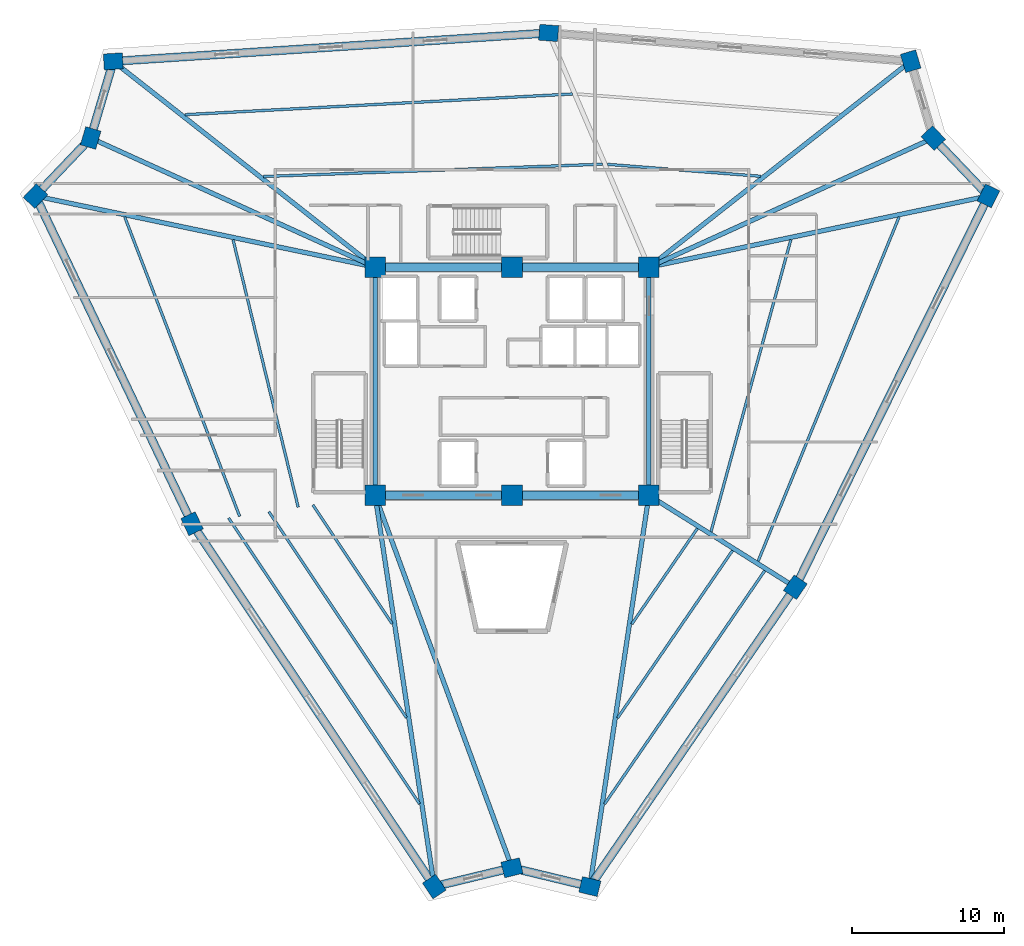
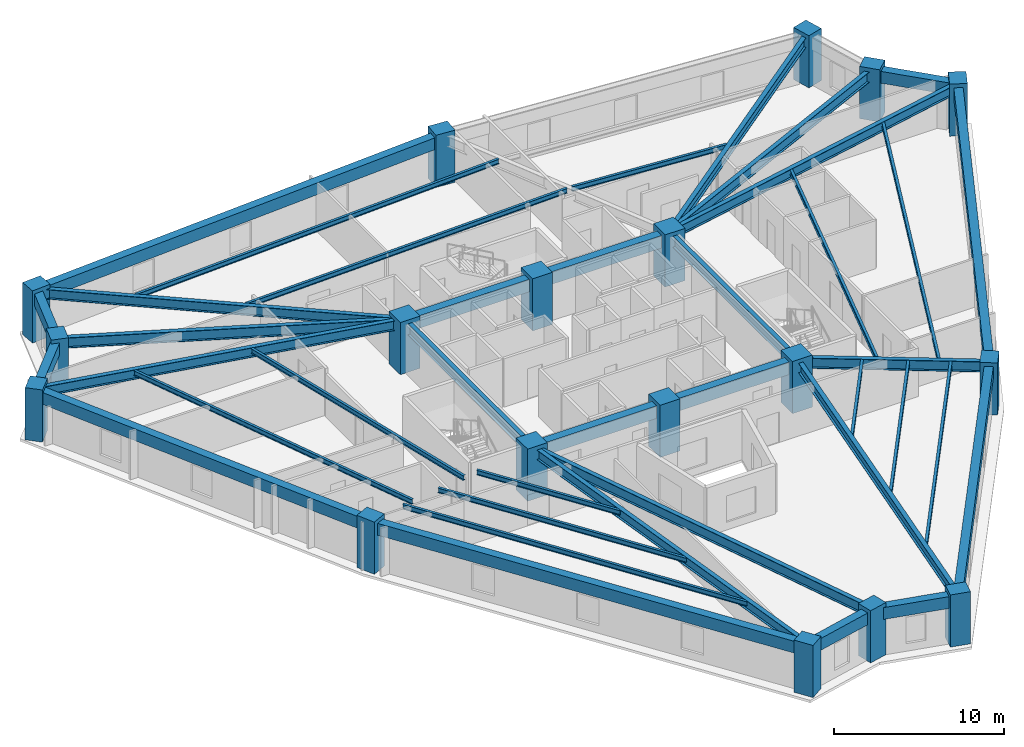
# One storey, part 1 of 8: 39 beams, 18 columns.
"""IFC4 building model written with IfcOpenShell, lengths in metres."""

from ifc_helpers import new_model, si_unit, direction, frame, origin, origin_2d, place, context, subcontext, project, spatial, rectangle, i_section, extrude, source, transform, mapped, material, material_profile, profile_set, type_object, element, save


model = new_model("IFC4")

# Units and contexts
model_context = context("Model", 3, precision=1e-05, world=origin(), true_north=direction((0.0, 1.0)))
body_context = subcontext(model_context, "Body", "Model", "MODEL_VIEW")
ifc_project = project(units=[si_unit("LENGTHUNIT", "METRE"), si_unit("AREAUNIT", "SQUARE_METRE"), si_unit("VOLUMEUNIT", "CUBIC_METRE"), si_unit("PLANEANGLEUNIT", "RADIAN"), si_unit("MASSUNIT", "GRAM", prefix="KILO")], contexts=[model_context])

# Site, building, storey
site_placement = place(None, origin())
site = spatial("IfcSite", under=ifc_project, at=site_placement, CompositionType="ELEMENT")
building_placement = place(site_placement, origin())
building = spatial("IfcBuilding", under=site, at=building_placement, Name="Liaohun Quay Tower", CompositionType="ELEMENT")
storey_placement = place(building_placement, frame((0.0, 0.0, 273.75)))
storey = spatial("IfcBuildingStorey", under=building, at=storey_placement, Name="L71", CompositionType="ELEMENT", Elevation=273.75)

# Columns
ifc_material_1 = material(Name="Concrete C55", Category="concrete")
ifc_material_profile_1 = material_profile(ifc_material_1, rectangle(XDim=1.35009765625, YDim=1.35009765625, at=origin_2d()), Name="RC1350x1350")
ifc_profile_set_1 = profile_set([ifc_material_profile_1], Name="Concrete C55")
column_type_1 = type_object("IfcColumnType", Name="COL-CC-Z3", PredefinedType="COLUMN", material=ifc_profile_set_1)
shared_shape_1 = source(origin(), body_context, "Body", "SweptSolid", [
    extrude(rectangle(XDim=1.35009765625, YDim=1.35009765625, at=origin_2d()), origin(), (0.0, 0.0, 1.0), 3.75),
])
for number, where, z_axis, x_axis, name in (
    (1, (51.0, 46.5, 0.0), (0.0, 0.0, 1.0), (1.0, 0.0, 0.0), "L71 Core Column CC1"),
    (2, (60.0, 46.5, 0.0), (0.0, 0.0, 1.0), (1.0, 0.0, 0.0), "L71 Core Column CC2"),
    (3, (69.0, 46.5, 0.0), (0.0, 0.0, 1.0), (1.0, 0.0, 0.0), "L71 Core Column CC3"),
    (4, (69.0, 61.5, 0.0), (0.0, 0.0, 1.0), (1.0, 0.0, 0.0), "L71 Core Column CC4"),
    (5, (60.0, 61.5, 0.0), (0.0, 0.0, 1.0), (1.0, 0.0, 0.0), "L71 Core Column CC5"),
    (6, (51.0, 61.5, 0.0), (0.0, 0.0, 1.0), (1.0, 0.0, 0.0), "L71 Core Column CC6"),
):
    element("IfcColumn", number, at=place(storey_placement, frame(where, z_axis=z_axis, x_axis=x_axis)), inside=storey, type_object=column_type_1, Name=name, PredefinedType="COLUMN", context=body_context, shape_type="MappedRepresentation", body=[
        mapped(shared_shape_1, transform((0.0, 0.0, 0.0), x_axis=(1.0, 0.0, 0.0), y_axis=(0.0, 1.0, 0.0), z_axis=(0.0, 0.0, 1.0), scale=1.0)),
    ])
ifc_material_profile_2 = material_profile(ifc_material_1, rectangle(XDim=1.25, YDim=1.050048828125, at=origin_2d()), Name="RC1250x1050")
ifc_profile_set_2 = profile_set([ifc_material_profile_2], Name="Concrete C55")
column_type_2 = type_object("IfcColumnType", Name="COL-PIER-Z3", PredefinedType="COLUMN", material=ifc_profile_set_2)
shared_shape_2 = source(origin(), body_context, "Body", "SweptSolid", [
    extrude(rectangle(XDim=1.25, YDim=1.050048828125, at=origin_2d()), origin(), (0.0, 0.0, 1.0), 3.75),
])
for number, where, z_axis, x_axis, name in (
    (7, (54.89208984375, 20.783935546875, 0.0), (0.0, 0.0, 1.0), (-0.555279961531, 0.831663492238, 0.0), "L71 Perimeter Pier PC01"),
    (8, (38.964111328125, 44.638916015625, 0.0), (0.0, 0.0, 1.0), (-0.430983630323, 0.902359745553, 0.0), "L71 Perimeter Pier PC02"),
    (9, (28.674072265625, 66.178955078125, 0.0), (0.0, 0.0, 1.0), (0.68936671806, 0.724412539946, 0.0), "L71 Perimeter Pier PC03"),
    (10, (32.302001953125, 69.991943359375, 0.0), (0.0, 0.0, 1.0), (0.282676303383, 0.959215360337, 0.0), "L71 Perimeter Pier PC04"),
    (11, (33.7880859375, 75.031982421875, 0.0), (0.0, 0.0, 1.0), (0.997881692444, 0.065054806779, 0.0), "L71 Perimeter Pier PC05"),
    (12, (62.412109375, 76.89892578125, 0.0), (0.0, 0.0, 1.0), (-0.996958278162, 0.077937100301, 0.0), "L71 Perimeter Pier PC06"),
    (13, (86.2099609375, 75.0400390625, 0.0), (0.0, 0.0, 1.0), (-0.282676303383, 0.959215360337, 0.0), "L71 Perimeter Pier PC07"),
    (14, (87.697998046875, 69.991943359375, 0.0), (0.0, 0.0, 1.0), (-0.68936671806, 0.724412539946, 0.0), "L71 Perimeter Pier PC08"),
    (15, (91.320068359375, 66.18505859375, 0.0), (0.0, 0.0, 1.0), (0.442601730913, 0.896718299017, 0.0), "L71 Perimeter Pier PC09"),
    (16, (78.625, 40.4619140625, 0.0), (0.0, 0.0, 1.0), (0.56597464784, 0.824422645251, 0.0), "L71 Perimeter Pier PC10"),
    (17, (65.115966796875, 20.781982421875, 0.0), (0.0, 0.0, 1.0), (-0.972043021443, 0.234802820391, 0.0), "L71 Perimeter Pier PC11"),
    (18, (60.0, 22.01708984375, 0.0), (0.0, 0.0, 1.0), (0.972043021443, 0.234802820391, 0.0), "L71 Perimeter Pier PC12"),
):
    element("IfcColumn", number, at=place(storey_placement, frame(where, z_axis=z_axis, x_axis=x_axis)), inside=storey, type_object=column_type_2, Name=name, PredefinedType="COLUMN", context=body_context, shape_type="MappedRepresentation", body=[
        mapped(shared_shape_2, transform((0.0, 0.0, 0.0), x_axis=(1.0, 0.0, 0.0), y_axis=(0.0, 1.0, 0.0), z_axis=(0.0, 0.0, 1.0), scale=1.0)),
    ])

# Beams
ifc_material_2 = material(Name="Steel Q355D", Category="steel")
ifc_material_profile_3 = material_profile(ifc_material_2, i_section(OverallWidth=0.300048828125, OverallDepth=0.800048828125, WebThickness=0.013916015625, FlangeThickness=0.02587890625, at=origin_2d()), Name="HN800x300x14x26")
ifc_profile_set_3 = profile_set([ifc_material_profile_3], Name="Steel Q355D")
beam_type_1 = type_object("IfcBeamType", Name="BM-RAD-M1", PredefinedType="BEAM", material=ifc_profile_set_3)
shared_shape_3 = source(origin(), body_context, "Body", "SweptSolid", [
    extrude(i_section(OverallWidth=0.300048828125, OverallDepth=0.800048828125, WebThickness=0.013916015625, FlangeThickness=0.02587890625, at=origin_2d()), origin(), (0.0, 0.0, 1.0), 15.0),
])
for number, where, z_axis, x_axis, name in (
    (19, (69.0, 46.5, 3.070068359375), (0.0, 1.0, 0.0), (-1.0, 0.0, 0.0), "L71 Core Coupling/Ring Beam CC3-CC4"),
    (20, (51.0, 61.5, 3.070068359375), (0.0, -1.0, 0.0), (1.0, 0.0, 0.0), "L71 Core Coupling/Ring Beam CC6-CC1"),
):
    element("IfcBeam", number, at=place(storey_placement, frame(where, z_axis=z_axis, x_axis=x_axis)), inside=storey, type_object=beam_type_1, Name=name, PredefinedType="BEAM", context=body_context, shape_type="MappedRepresentation", body=[
        mapped(shared_shape_3, transform((0.0, 0.0, 0.0), x_axis=(1.0, 0.0, 0.0), y_axis=(0.0, 1.0, 0.0), z_axis=(0.0, 0.0, 1.0), scale=1.0)),
    ])
ifc_material_profile_4 = material_profile(ifc_material_1, rectangle(XDim=0.550048828125, YDim=0.89990234375, at=origin_2d()), Name="RC550x900")
ifc_profile_set_4 = profile_set([ifc_material_profile_4], Name="Concrete C55")
beam_type_2 = type_object("IfcBeamType", Name="BM-CPL-2", PredefinedType="LINTEL", material=ifc_profile_set_4)
shared_shape_4 = source(origin(), body_context, "Body", "SweptSolid", [
    extrude(rectangle(XDim=0.550048828125, YDim=0.89990234375, at=origin_2d()), origin(), (0.0, 0.0, 1.0), 9.0),
])
for number, where, z_axis, x_axis, name in (
    (21, (51.0, 46.5, 3.02001953125), (1.0, 0.0, 0.0), (0.0, 1.0, 0.0), "L71 Core Coupling/Ring Beam CC1-CC2"),
    (22, (60.0, 46.5, 3.02001953125), (1.0, 0.0, 0.0), (0.0, 1.0, 0.0), "L71 Core Coupling/Ring Beam CC2-CC3"),
    (23, (69.0, 61.5, 3.02001953125), (-1.0, 0.0, 0.0), (0.0, -1.0, 0.0), "L71 Core Coupling/Ring Beam CC4-CC5"),
    (24, (60.0, 61.5, 3.02001953125), (-1.0, 0.0, 0.0), (0.0, -1.0, 0.0), "L71 Core Coupling/Ring Beam CC5-CC6"),
):
    element("IfcBeam", number, at=place(storey_placement, frame(where, z_axis=z_axis, x_axis=x_axis)), inside=storey, type_object=beam_type_2, Name=name, PredefinedType="LINTEL", context=body_context, shape_type="MappedRepresentation", body=[
        mapped(shared_shape_4, transform((0.0, 0.0, 0.0), x_axis=(1.0, 0.0, 0.0), y_axis=(0.0, 1.0, 0.0), z_axis=(0.0, 0.0, 1.0), scale=1.0)),
    ])
ifc_material_profile_5 = material_profile(ifc_material_2, i_section(OverallWidth=0.300048828125, OverallDepth=0.699951171875, WebThickness=0.012939453125, FlangeThickness=0.02392578125, at=origin_2d()), Name="HN700x300x13x24")
ifc_profile_set_5 = profile_set([ifc_material_profile_5], Name="Steel Q355D")
beam_type_3 = type_object("IfcBeamType", Name="BM-RAD-U1", PredefinedType="BEAM", material=ifc_profile_set_5)
shared_shape_5 = source(origin(), body_context, "Body", "SweptSolid", [
    extrude(i_section(OverallWidth=0.300048828125, OverallDepth=0.699951171875, WebThickness=0.012939453125, FlangeThickness=0.02392578125, at=origin_2d()), origin(), (0.0, 0.0, 1.0), 26.009033203125),
])
beam_1_placement = place(storey_placement, frame((51.0, 46.5, 3.1201171875), z_axis=(0.149644377799, -0.988739885002, 0.0), x_axis=(0.988739885002, 0.149644377799, 0.0)))
element("IfcBeam", 25, at=beam_1_placement, inside=storey, type_object=beam_type_3, Name="L71 Radial Primary Girder CC1-PC01", PredefinedType="BEAM", context=body_context, shape_type="MappedRepresentation", body=[
    mapped(shared_shape_5, transform((0.0, 0.0, 0.0), x_axis=(1.0, 0.0, 0.0), y_axis=(0.0, 1.0, 0.0), z_axis=(0.0, 0.0, 1.0), scale=1.0)),
])
shared_shape_6 = source(origin(), body_context, "Body", "SweptSolid", [
    extrude(i_section(OverallWidth=0.300048828125, OverallDepth=0.699951171875, WebThickness=0.012939453125, FlangeThickness=0.02392578125, at=origin_2d()), origin(), (0.0, 0.0, 1.0), 22.81103515625),
])
beam_2_placement = place(storey_placement, frame((51.0, 61.5, 3.1201171875), z_axis=(-0.978737089066, 0.205118771659, 0.0), x_axis=(-0.205118771659, -0.978737089066, 0.0)))
element("IfcBeam", 26, at=beam_2_placement, inside=storey, type_object=beam_type_3, Name="L71 Radial Primary Girder CC6-PC03", PredefinedType="BEAM", context=body_context, shape_type="MappedRepresentation", body=[
    mapped(shared_shape_6, transform((0.0, 0.0, 0.0), x_axis=(1.0, 0.0, 0.0), y_axis=(0.0, 1.0, 0.0), z_axis=(0.0, 0.0, 1.0), scale=1.0)),
])
ifc_material_profile_6 = material_profile(ifc_material_2, i_section(OverallWidth=0.300048828125, OverallDepth=0.75, WebThickness=0.013916015625, FlangeThickness=0.02587890625, at=origin_2d()), Name="HN750x300x14x26")
ifc_profile_set_6 = profile_set([ifc_material_profile_6], Name="Steel Q355D")
beam_type_4 = type_object("IfcBeamType", Name="BM-RAD-M2", PredefinedType="BEAM", material=ifc_profile_set_6)
shared_shape_7 = source(origin(), body_context, "Body", "SweptSolid", [
    extrude(i_section(OverallWidth=0.300048828125, OverallDepth=0.75, WebThickness=0.013916015625, FlangeThickness=0.02587890625, at=origin_2d()), origin(), (0.0, 0.0, 1.0), 20.5361328125),
])
for number, where, z_axis, x_axis, name in (
    (27, (51.0, 61.5, 3.094970703125), (-0.910497529977, 0.413514507491, 0.0), (-0.413514507491, -0.910497529977, 0.0), "L71 Radial Primary Girder CC6-PC04"),
    (28, (69.0, 61.5, 3.094970703125), (0.910497529977, 0.413514507491, 0.0), (-0.413514507491, 0.910497529977, 0.0), "L71 Radial Primary Girder CC4-PC08"),
):
    element("IfcBeam", number, at=place(storey_placement, frame(where, z_axis=z_axis, x_axis=x_axis)), inside=storey, type_object=beam_type_4, Name=name, PredefinedType="BEAM", context=body_context, shape_type="MappedRepresentation", body=[
        mapped(shared_shape_7, transform((0.0, 0.0, 0.0), x_axis=(1.0, 0.0, 0.0), y_axis=(0.0, 1.0, 0.0), z_axis=(0.0, 0.0, 1.0), scale=1.0)),
    ])
shared_shape_8 = source(origin(), body_context, "Body", "SweptSolid", [
    extrude(i_section(OverallWidth=0.300048828125, OverallDepth=0.699951171875, WebThickness=0.012939453125, FlangeThickness=0.02392578125, at=origin_2d()), origin(), (0.0, 0.0, 1.0), 21.894287109375),
])
beam_3_placement = place(storey_placement, frame((51.0, 61.5, 3.1201171875), z_axis=(-0.786133347588, 0.618056922791, 0.0), x_axis=(-0.618056922791, -0.786133347588, 0.0)))
element("IfcBeam", 29, at=beam_3_placement, inside=storey, type_object=beam_type_3, Name="L71 Radial Primary Girder CC6-PC05", PredefinedType="BEAM", context=body_context, shape_type="MappedRepresentation", body=[
    mapped(shared_shape_8, transform((0.0, 0.0, 0.0), x_axis=(1.0, 0.0, 0.0), y_axis=(0.0, 1.0, 0.0), z_axis=(0.0, 0.0, 1.0), scale=1.0)),
])
shared_shape_9 = source(origin(), body_context, "Body", "SweptSolid", [
    extrude(i_section(OverallWidth=0.300048828125, OverallDepth=0.699951171875, WebThickness=0.012939453125, FlangeThickness=0.02392578125, at=origin_2d()), origin(), (0.0, 0.0, 1.0), 21.89794921875),
])
beam_4_placement = place(storey_placement, frame((69.0, 61.5, 3.1201171875), z_axis=(0.785920467008, 0.618327598881, 0.0), x_axis=(-0.618327598881, 0.785920467008, 0.0)))
element("IfcBeam", 30, at=beam_4_placement, inside=storey, type_object=beam_type_3, Name="L71 Radial Primary Girder CC4-PC07", PredefinedType="BEAM", context=body_context, shape_type="MappedRepresentation", body=[
    mapped(shared_shape_9, transform((0.0, 0.0, 0.0), x_axis=(1.0, 0.0, 0.0), y_axis=(0.0, 1.0, 0.0), z_axis=(0.0, 0.0, 1.0), scale=1.0)),
])
shared_shape_10 = source(origin(), body_context, "Body", "SweptSolid", [
    extrude(i_section(OverallWidth=0.300048828125, OverallDepth=0.699951171875, WebThickness=0.012939453125, FlangeThickness=0.02392578125, at=origin_2d()), origin(), (0.0, 0.0, 1.0), 22.806396484375),
])
beam_5_placement = place(storey_placement, frame((69.0, 61.5, 3.1201171875), z_axis=(0.978672504065, 0.205426701738, 0.0), x_axis=(-0.205426701738, 0.978672504065, 0.0)))
element("IfcBeam", 31, at=beam_5_placement, inside=storey, type_object=beam_type_3, Name="L71 Radial Primary Girder CC4-PC09", PredefinedType="BEAM", context=body_context, shape_type="MappedRepresentation", body=[
    mapped(shared_shape_10, transform((0.0, 0.0, 0.0), x_axis=(1.0, 0.0, 0.0), y_axis=(0.0, 1.0, 0.0), z_axis=(0.0, 0.0, 1.0), scale=1.0)),
])
shared_shape_11 = source(origin(), body_context, "Body", "SweptSolid", [
    extrude(i_section(OverallWidth=0.300048828125, OverallDepth=0.75, WebThickness=0.013916015625, FlangeThickness=0.02587890625, at=origin_2d()), origin(), (0.0, 0.0, 1.0), 11.362060546875),
])
beam_6_placement = place(storey_placement, frame((69.0, 46.5, 3.094970703125), z_axis=(0.847108655866, -0.531419725976, 0.0), x_axis=(0.531419725976, 0.847108655866, 0.0)))
element("IfcBeam", 32, at=beam_6_placement, inside=storey, type_object=beam_type_4, Name="L71 Radial Primary Girder CC3-PC10", PredefinedType="BEAM", context=body_context, shape_type="MappedRepresentation", body=[
    mapped(shared_shape_11, transform((0.0, 0.0, 0.0), x_axis=(1.0, 0.0, 0.0), y_axis=(0.0, 1.0, 0.0), z_axis=(0.0, 0.0, 1.0), scale=1.0)),
])
shared_shape_12 = source(origin(), body_context, "Body", "SweptSolid", [
    extrude(i_section(OverallWidth=0.300048828125, OverallDepth=0.699951171875, WebThickness=0.012939453125, FlangeThickness=0.02392578125, at=origin_2d()), origin(), (0.0, 0.0, 1.0), 26.009765625),
])
beam_7_placement = place(storey_placement, frame((69.0, 46.5, 3.1201171875), z_axis=(-0.149330440374, -0.988787348006, 0.0), x_axis=(0.988787348006, -0.149330440374, 0.0)))
element("IfcBeam", 33, at=beam_7_placement, inside=storey, type_object=beam_type_3, Name="L71 Radial Primary Girder CC3-PC11", PredefinedType="BEAM", context=body_context, shape_type="MappedRepresentation", body=[
    mapped(shared_shape_12, transform((0.0, 0.0, 0.0), x_axis=(1.0, 0.0, 0.0), y_axis=(0.0, 1.0, 0.0), z_axis=(0.0, 0.0, 1.0), scale=1.0)),
])
shared_shape_13 = source(origin(), body_context, "Body", "SweptSolid", [
    extrude(i_section(OverallWidth=0.300048828125, OverallDepth=0.75, WebThickness=0.013916015625, FlangeThickness=0.02587890625, at=origin_2d()), origin(), (0.0, 0.0, 1.0), 26.084716796875),
])
beam_8_placement = place(storey_placement, frame((51.0, 46.5, 3.094970703125), z_axis=(0.345029511511, -0.938591836842, 0.0), x_axis=(0.938591836842, 0.345029511511, 0.0)))
element("IfcBeam", 34, at=beam_8_placement, inside=storey, type_object=beam_type_4, Name="L71 Radial Primary Girder CC1-PC12", PredefinedType="BEAM", context=body_context, shape_type="MappedRepresentation", body=[
    mapped(shared_shape_13, transform((0.0, 0.0, 0.0), x_axis=(1.0, 0.0, 0.0), y_axis=(0.0, 1.0, 0.0), z_axis=(0.0, 0.0, 1.0), scale=1.0)),
])
ifc_material_profile_7 = material_profile(ifc_material_2, i_section(OverallWidth=0.175048828125, OverallDepth=0.35009765625, WebThickness=0.007080078125, FlangeThickness=0.010986328125, at=origin_2d()), Name="HN350x175x7x11")
ifc_profile_set_7 = profile_set([ifc_material_profile_7], Name="Steel Q355D")
beam_type_5 = type_object("IfcBeamType", Name="BM-SEC-J3", PredefinedType="JOIST", material=ifc_profile_set_7)
shared_shape_14 = source(origin(), body_context, "Body", "SweptSolid", [
    extrude(i_section(OverallWidth=0.175048828125, OverallDepth=0.35009765625, WebThickness=0.007080078125, FlangeThickness=0.010986328125, at=origin_2d()), origin(), (0.0, 0.0, 1.0), 9.39892578125),
])
beam_9_placement = place(storey_placement, frame((52.126953125, 38.050048828125, 3.294921875), z_axis=(-0.555269520232, 0.831670463526, 0.0), x_axis=(-0.831670463526, -0.555269520232, 0.0)))
element("IfcBeam", 35, at=beam_9_placement, inside=storey, type_object=beam_type_5, Name="L71 Wing Secondary Floor Joist SJ-01", PredefinedType="JOIST", context=body_context, shape_type="MappedRepresentation", body=[
    mapped(shared_shape_14, transform((0.0, 0.0, 0.0), x_axis=(1.0, 0.0, 0.0), y_axis=(0.0, 1.0, 0.0), z_axis=(0.0, 0.0, 1.0), scale=1.0)),
])
shared_shape_15 = source(origin(), body_context, "Body", "SweptSolid", [
    extrude(i_section(OverallWidth=0.175048828125, OverallDepth=0.35009765625, WebThickness=0.007080078125, FlangeThickness=0.010986328125, at=origin_2d()), origin(), (0.0, 0.0, 1.0), 16.283203125),
])
beam_10_placement = place(storey_placement, frame((53.06103515625, 31.87890625, 3.294921875), z_axis=(-0.555295176571, 0.831653333353, 0.0), x_axis=(-0.831653333353, -0.555295176571, 0.0)))
element("IfcBeam", 36, at=beam_10_placement, inside=storey, type_object=beam_type_5, Name="L71 Wing Secondary Floor Joist SJ-02", PredefinedType="JOIST", context=body_context, shape_type="MappedRepresentation", body=[
    mapped(shared_shape_15, transform((0.0, 0.0, 0.0), x_axis=(1.0, 0.0, 0.0), y_axis=(0.0, 1.0, 0.0), z_axis=(0.0, 0.0, 1.0), scale=1.0)),
])
shared_shape_16 = source(origin(), body_context, "Body", "SweptSolid", [
    extrude(i_section(OverallWidth=0.175048828125, OverallDepth=0.35009765625, WebThickness=0.007080078125, FlangeThickness=0.010986328125, at=origin_2d()), origin(), (0.0, 0.0, 1.0), 22.593505859375),
])
beam_11_placement = place(storey_placement, frame((53.9169921875, 26.220947265625, 3.294921875), z_axis=(-0.555288558085, 0.83165775248, 0.0), x_axis=(-0.83165775248, -0.555288558085, 0.0)))
element("IfcBeam", 37, at=beam_11_placement, inside=storey, type_object=beam_type_5, Name="L71 Wing Secondary Floor Joist SJ-03", PredefinedType="JOIST", context=body_context, shape_type="MappedRepresentation", body=[
    mapped(shared_shape_16, transform((0.0, 0.0, 0.0), x_axis=(1.0, 0.0, 0.0), y_axis=(0.0, 1.0, 0.0), z_axis=(0.0, 0.0, 1.0), scale=1.0)),
])
shared_shape_17 = source(origin(), body_context, "Body", "SweptSolid", [
    extrude(i_section(OverallWidth=0.175048828125, OverallDepth=0.35009765625, WebThickness=0.007080078125, FlangeThickness=0.010986328125, at=origin_2d()), origin(), (0.0, 0.0, 1.0), 18.099853515625),
])
beam_12_placement = place(storey_placement, frame((45.945068359375, 45.718017578125, 3.294921875), z_axis=(-0.236627952665, 0.971600335538, 0.0), x_axis=(-0.971600335538, -0.236627952665, 0.0)))
element("IfcBeam", 38, at=beam_12_placement, inside=storey, type_object=beam_type_5, Name="L71 Wing Secondary Floor Joist SJ-04", PredefinedType="JOIST", context=body_context, shape_type="MappedRepresentation", body=[
    mapped(shared_shape_17, transform((0.0, 0.0, 0.0), x_axis=(1.0, 0.0, 0.0), y_axis=(0.0, 1.0, 0.0), z_axis=(0.0, 0.0, 1.0), scale=1.0)),
])
shared_shape_18 = source(origin(), body_context, "Body", "SweptSolid", [
    extrude(i_section(OverallWidth=0.175048828125, OverallDepth=0.35009765625, WebThickness=0.007080078125, FlangeThickness=0.010986328125, at=origin_2d()), origin(), (0.0, 0.0, 1.0), 21.07177734375),
])
beam_13_placement = place(storey_placement, frame((42.093017578125, 45.123046875, 3.294921875), z_axis=(-0.358299645537, 0.933606643083, 0.0), x_axis=(-0.933606643083, -0.358299645537, 0.0)))
element("IfcBeam", 39, at=beam_13_placement, inside=storey, type_object=beam_type_5, Name="L71 Wing Secondary Floor Joist SJ-05", PredefinedType="JOIST", context=body_context, shape_type="MappedRepresentation", body=[
    mapped(shared_shape_18, transform((0.0, 0.0, 0.0), x_axis=(1.0, 0.0, 0.0), y_axis=(0.0, 1.0, 0.0), z_axis=(0.0, 0.0, 1.0), scale=1.0)),
])
shared_shape_19 = source(origin(), body_context, "Body", "SweptSolid", [
    extrude(i_section(OverallWidth=0.175048828125, OverallDepth=0.35009765625, WebThickness=0.007080078125, FlangeThickness=0.010986328125, at=origin_2d()), origin(), (0.0, 0.0, 1.0), 22.296630859375),
])
beam_14_placement = place(storey_placement, frame((43.658935546875, 67.4619140625, 3.294921875), z_axis=(0.999342992579, 0.036243388141, 0.0), x_axis=(-0.036243388141, 0.999342992579, 0.0)))
element("IfcBeam", 40, at=beam_14_placement, inside=storey, type_object=beam_type_5, Name="L71 Wing Secondary Floor Joist SJ-06", PredefinedType="JOIST", context=body_context, shape_type="MappedRepresentation", body=[
    mapped(shared_shape_19, transform((0.0, 0.0, 0.0), x_axis=(1.0, 0.0, 0.0), y_axis=(0.0, 1.0, 0.0), z_axis=(0.0, 0.0, 1.0), scale=1.0)),
])
shared_shape_20 = source(origin(), body_context, "Body", "SweptSolid", [
    extrude(i_section(OverallWidth=0.175048828125, OverallDepth=0.35009765625, WebThickness=0.007080078125, FlangeThickness=0.010986328125, at=origin_2d()), origin(), (0.0, 0.0, 1.0), 25.511474609375),
])
beam_15_placement = place(storey_placement, frame((38.489990234375, 71.52587890625, 3.294921875), z_axis=(0.998575771856, 0.053351924636, 0.0), x_axis=(-0.053351924636, 0.998575771856, 0.0)))
element("IfcBeam", 41, at=beam_15_placement, inside=storey, type_object=beam_type_5, Name="L71 Wing Secondary Floor Joist SJ-07", PredefinedType="JOIST", context=body_context, shape_type="MappedRepresentation", body=[
    mapped(shared_shape_20, transform((0.0, 0.0, 0.0), x_axis=(1.0, 0.0, 0.0), y_axis=(0.0, 1.0, 0.0), z_axis=(0.0, 0.0, 1.0), scale=1.0)),
])
shared_shape_21 = source(origin(), body_context, "Body", "SweptSolid", [
    extrude(i_section(OverallWidth=0.175048828125, OverallDepth=0.35009765625, WebThickness=0.007080078125, FlangeThickness=0.010986328125, at=origin_2d()), origin(), (0.0, 0.0, 1.0), 10.11279296875),
])
beam_16_placement = place(storey_placement, frame((66.27001953125, 68.261962890625, 3.294921875), z_axis=(0.996968230919, -0.077809681525, 0.0), x_axis=(0.077809681525, 0.996968230919, 0.0)))
element("IfcBeam", 42, at=beam_16_placement, inside=storey, type_object=beam_type_5, Name="L71 Wing Secondary Floor Joist SJ-08", PredefinedType="JOIST", context=body_context, shape_type="MappedRepresentation", body=[
    mapped(shared_shape_21, transform((0.0, 0.0, 0.0), x_axis=(1.0, 0.0, 0.0), y_axis=(0.0, 1.0, 0.0), z_axis=(0.0, 0.0, 1.0), scale=1.0)),
])
shared_shape_22 = source(origin(), body_context, "Body", "SweptSolid", [
    extrude(i_section(OverallWidth=0.175048828125, OverallDepth=0.35009765625, WebThickness=0.007080078125, FlangeThickness=0.010986328125, at=origin_2d()), origin(), (0.0, 0.0, 1.0), 19.89404296875),
])
beam_17_placement = place(storey_placement, frame((78.330078125, 63.304931640625, 3.294921875), z_axis=(-0.263700938904, -0.964604486212, 0.0), x_axis=(0.964604486212, -0.263700938904, 0.0)))
element("IfcBeam", 43, at=beam_17_placement, inside=storey, type_object=beam_type_5, Name="L71 Wing Secondary Floor Joist SJ-10", PredefinedType="JOIST", context=body_context, shape_type="MappedRepresentation", body=[
    mapped(shared_shape_22, transform((0.0, 0.0, 0.0), x_axis=(1.0, 0.0, 0.0), y_axis=(0.0, 1.0, 0.0), z_axis=(0.0, 0.0, 1.0), scale=1.0)),
])
shared_shape_23 = source(origin(), body_context, "Body", "SweptSolid", [
    extrude(i_section(OverallWidth=0.175048828125, OverallDepth=0.35009765625, WebThickness=0.007080078125, FlangeThickness=0.010986328125, at=origin_2d()), origin(), (0.0, 0.0, 1.0), 24.45068359375),
])
beam_18_placement = place(storey_placement, frame((85.447998046875, 64.799072265625, 3.294921875), z_axis=(-0.379052709301, -0.92537508264, 0.0), x_axis=(0.92537508264, -0.379052709301, 0.0)))
element("IfcBeam", 44, at=beam_18_placement, inside=storey, type_object=beam_type_5, Name="L71 Wing Secondary Floor Joist SJ-11", PredefinedType="JOIST", context=body_context, shape_type="MappedRepresentation", body=[
    mapped(shared_shape_23, transform((0.0, 0.0, 0.0), x_axis=(1.0, 0.0, 0.0), y_axis=(0.0, 1.0, 0.0), z_axis=(0.0, 0.0, 1.0), scale=1.0)),
])
shared_shape_24 = source(origin(), body_context, "Body", "SweptSolid", [
    extrude(i_section(OverallWidth=0.175048828125, OverallDepth=0.35009765625, WebThickness=0.007080078125, FlangeThickness=0.010986328125, at=origin_2d()), origin(), (0.0, 0.0, 1.0), 7.622314453125),
])
beam_19_placement = place(storey_placement, frame((72.18798828125, 44.322998046875, 3.294921875), z_axis=(-0.565972711745, -0.824423974397, 0.0), x_axis=(0.824423974397, -0.565972711745, 0.0)))
element("IfcBeam", 45, at=beam_19_placement, inside=storey, type_object=beam_type_5, Name="L71 Wing Secondary Floor Joist SJ-12", PredefinedType="JOIST", context=body_context, shape_type="MappedRepresentation", body=[
    mapped(shared_shape_24, transform((0.0, 0.0, 0.0), x_axis=(1.0, 0.0, 0.0), y_axis=(0.0, 1.0, 0.0), z_axis=(0.0, 0.0, 1.0), scale=1.0)),
])
shared_shape_25 = source(origin(), body_context, "Body", "SweptSolid", [
    extrude(i_section(OverallWidth=0.175048828125, OverallDepth=0.35009765625, WebThickness=0.007080078125, FlangeThickness=0.010986328125, at=origin_2d()), origin(), (0.0, 0.0, 1.0), 13.35107421875),
])
beam_20_placement = place(storey_placement, frame((74.498046875, 42.8740234375, 3.294921875), z_axis=(-0.565958273742, -0.824433885999, 0.0), x_axis=(0.824433885999, -0.565958273742, 0.0)))
element("IfcBeam", 46, at=beam_20_placement, inside=storey, type_object=beam_type_5, Name="L71 Wing Secondary Floor Joist SJ-13", PredefinedType="JOIST", context=body_context, shape_type="MappedRepresentation", body=[
    mapped(shared_shape_25, transform((0.0, 0.0, 0.0), x_axis=(1.0, 0.0, 0.0), y_axis=(0.0, 1.0, 0.0), z_axis=(0.0, 0.0, 1.0), scale=1.0)),
])
shared_shape_26 = source(origin(), body_context, "Body", "SweptSolid", [
    extrude(i_section(OverallWidth=0.175048828125, OverallDepth=0.35009765625, WebThickness=0.007080078125, FlangeThickness=0.010986328125, at=origin_2d()), origin(), (0.0, 0.0, 1.0), 18.602783203125),
])
beam_21_placement = place(storey_placement, frame((76.614990234375, 41.5458984375, 3.294921875), z_axis=(-0.565942733261, -0.82444455403, 0.0), x_axis=(0.82444455403, -0.565942733261, 0.0)))
element("IfcBeam", 47, at=beam_21_placement, inside=storey, type_object=beam_type_5, Name="L71 Wing Secondary Floor Joist SJ-14", PredefinedType="JOIST", context=body_context, shape_type="MappedRepresentation", body=[
    mapped(shared_shape_26, transform((0.0, 0.0, 0.0), x_axis=(1.0, 0.0, 0.0), y_axis=(0.0, 1.0, 0.0), z_axis=(0.0, 0.0, 1.0), scale=1.0)),
])
ifc_material_3 = material(Name="Precast concrete C50", Category="concrete")
ifc_material_profile_8 = material_profile(ifc_material_3, rectangle(XDim=0.550048828125, YDim=0.85009765625, at=origin_2d()), Name="RC550x850")
ifc_profile_set_8 = profile_set([ifc_material_profile_8], Name="Precast concrete C50")
beam_type_6 = type_object("IfcBeamType", Name="BM-SPD-Z3", PredefinedType="SPANDREL", material=ifc_profile_set_8)
shared_shape_27 = source(origin(), body_context, "Body", "SweptSolid", [
    extrude(rectangle(XDim=0.550048828125, YDim=0.85009765625, at=origin_2d()), origin(), (0.0, 0.0, 1.0), 28.683837890625),
])
beam_22_placement = place(storey_placement, frame((54.89208984375, 20.783935546875, 3.044921875), z_axis=(-0.555295200769, 0.831653317196, 0.0), x_axis=(-0.831653317196, -0.555295200769, 0.0)))
element("IfcBeam", 48, at=beam_22_placement, inside=storey, type_object=beam_type_6, Name="L71 Precast Spandrel Beam PC01-PC02", PredefinedType="SPANDREL", context=body_context, shape_type="MappedRepresentation", body=[
    mapped(shared_shape_27, transform((0.0, 0.0, 0.0), x_axis=(1.0, 0.0, 0.0), y_axis=(0.0, 1.0, 0.0), z_axis=(0.0, 0.0, 1.0), scale=1.0)),
])
shared_shape_28 = source(origin(), body_context, "Body", "SweptSolid", [
    extrude(rectangle(XDim=0.550048828125, YDim=0.85009765625, at=origin_2d()), origin(), (0.0, 0.0, 1.0), 23.87158203125),
])
beam_23_placement = place(storey_placement, frame((38.964111328125, 44.638916015625, 3.044921875), z_axis=(-0.431055933445, 0.902325208693, 0.0), x_axis=(-0.902325208693, -0.431055933445, 0.0)))
element("IfcBeam", 49, at=beam_23_placement, inside=storey, type_object=beam_type_6, Name="L71 Precast Spandrel Beam PC02-PC03", PredefinedType="SPANDREL", context=body_context, shape_type="MappedRepresentation", body=[
    mapped(shared_shape_28, transform((0.0, 0.0, 0.0), x_axis=(1.0, 0.0, 0.0), y_axis=(0.0, 1.0, 0.0), z_axis=(0.0, 0.0, 1.0), scale=1.0)),
])
shared_shape_29 = source(origin(), body_context, "Body", "SweptSolid", [
    extrude(rectangle(XDim=0.550048828125, YDim=0.85009765625, at=origin_2d()), origin(), (0.0, 0.0, 1.0), 5.26318359375),
])
beam_24_placement = place(storey_placement, frame((28.674072265625, 66.178955078125, 3.044921875), z_axis=(0.689307605808, 0.724468787854, 0.0), x_axis=(-0.724468787854, 0.689307605808, 0.0)))
element("IfcBeam", 50, at=beam_24_placement, inside=storey, type_object=beam_type_6, Name="L71 Precast Spandrel Beam PC03-PC04", PredefinedType="SPANDREL", context=body_context, shape_type="MappedRepresentation", body=[
    mapped(shared_shape_29, transform((0.0, 0.0, 0.0), x_axis=(1.0, 0.0, 0.0), y_axis=(0.0, 1.0, 0.0), z_axis=(0.0, 0.0, 1.0), scale=1.0)),
])
shared_shape_30 = source(origin(), body_context, "Body", "SweptSolid", [
    extrude(rectangle(XDim=0.550048828125, YDim=0.85009765625, at=origin_2d()), origin(), (0.0, 0.0, 1.0), 5.254638671875),
])
for number, where, z_axis, x_axis, name in (
    (51, (32.302001953125, 69.991943359375, 3.044921875), (0.282817770943, 0.959173659167, 0.0), (-0.959173659167, 0.282817770943, 0.0), "L71 Precast Spandrel Beam PC04-PC05"),
    (52, (87.697998046875, 69.991943359375, 3.044921875), (0.689302403293, -0.724473737837, 0.0), (0.724473737837, 0.689302403293, 0.0), "L71 Precast Spandrel Beam PC08-PC09"),
    (53, (60.0, 22.01708984375, 3.044921875), (-0.972073072096, -0.234678380994, 0.0), (0.234678380994, -0.972073072096, 0.0), "L71 Precast Spandrel Beam PC12-PC01"),
):
    element("IfcBeam", number, at=place(storey_placement, frame(where, z_axis=z_axis, x_axis=x_axis)), inside=storey, type_object=beam_type_6, Name=name, PredefinedType="SPANDREL", context=body_context, shape_type="MappedRepresentation", body=[
        mapped(shared_shape_30, transform((0.0, 0.0, 0.0), x_axis=(1.0, 0.0, 0.0), y_axis=(0.0, 1.0, 0.0), z_axis=(0.0, 0.0, 1.0), scale=1.0)),
    ])
shared_shape_31 = source(origin(), body_context, "Body", "SweptSolid", [
    extrude(rectangle(XDim=0.550048828125, YDim=0.85009765625, at=origin_2d()), origin(), (0.0, 0.0, 1.0), 28.684814453125),
])
beam_25_placement = place(storey_placement, frame((33.7880859375, 75.031982421875, 3.044921875), z_axis=(0.997879745479, 0.065084664577, 0.0), x_axis=(-0.065084664577, 0.997879745479, 0.0)))
element("IfcBeam", 54, at=beam_25_placement, inside=storey, type_object=beam_type_6, Name="L71 Precast Spandrel Beam PC05-PC06", PredefinedType="SPANDREL", context=body_context, shape_type="MappedRepresentation", body=[
    mapped(shared_shape_31, transform((0.0, 0.0, 0.0), x_axis=(1.0, 0.0, 0.0), y_axis=(0.0, 1.0, 0.0), z_axis=(0.0, 0.0, 1.0), scale=1.0)),
])
shared_shape_32 = source(origin(), body_context, "Body", "SweptSolid", [
    extrude(rectangle(XDim=0.550048828125, YDim=0.85009765625, at=origin_2d()), origin(), (0.0, 0.0, 1.0), 23.870361328125),
])
beam_26_placement = place(storey_placement, frame((78.625, 40.4619140625, 3.044921875), z_axis=(-0.565933565048, -0.824450847505, 0.0), x_axis=(0.824450847505, -0.565933565048, 0.0)))
element("IfcBeam", 55, at=beam_26_placement, inside=storey, type_object=beam_type_6, Name="L71 Precast Spandrel Beam PC10-PC11", PredefinedType="SPANDREL", context=body_context, shape_type="MappedRepresentation", body=[
    mapped(shared_shape_32, transform((0.0, 0.0, 0.0), x_axis=(1.0, 0.0, 0.0), y_axis=(0.0, 1.0, 0.0), z_axis=(0.0, 0.0, 1.0), scale=1.0)),
])
shared_shape_33 = source(origin(), body_context, "Body", "SweptSolid", [
    extrude(rectangle(XDim=0.550048828125, YDim=0.85009765625, at=origin_2d()), origin(), (0.0, 0.0, 1.0), 5.262939453125),
])
beam_27_placement = place(storey_placement, frame((65.115966796875, 20.781982421875, 3.044921875), z_axis=(-0.972072721575, 0.234679832901, 0.0), x_axis=(-0.234679832901, -0.972072721575, 0.0)))
element("IfcBeam", 56, at=beam_27_placement, inside=storey, type_object=beam_type_6, Name="L71 Precast Spandrel Beam PC11-PC12", PredefinedType="SPANDREL", context=body_context, shape_type="MappedRepresentation", body=[
    mapped(shared_shape_33, transform((0.0, 0.0, 0.0), x_axis=(1.0, 0.0, 0.0), y_axis=(0.0, 1.0, 0.0), z_axis=(0.0, 0.0, 1.0), scale=1.0)),
])
shared_shape_34 = source(origin(), body_context, "Body", "SweptSolid", [
    extrude(rectangle(XDim=0.550048828125, YDim=0.85009765625, at=origin_2d()), origin(), (0.0, 0.0, 1.0), 28.685302734375),
])
beam_28_placement = place(storey_placement, frame((91.320068359375, 66.18505859375, 3.044921875), z_axis=(-0.442563961834, -0.89673694007, 0.0), x_axis=(0.89673694007, -0.442563961834, 0.0)))
element("IfcBeam", 57, at=beam_28_placement, inside=storey, type_object=beam_type_6, Name="L71 Precast Spandrel Beam PC09-PC10", PredefinedType="SPANDREL", context=body_context, shape_type="MappedRepresentation", body=[
    mapped(shared_shape_34, transform((0.0, 0.0, 0.0), x_axis=(1.0, 0.0, 0.0), y_axis=(0.0, 1.0, 0.0), z_axis=(0.0, 0.0, 1.0), scale=1.0)),
])

save(model, "model.ifc")
